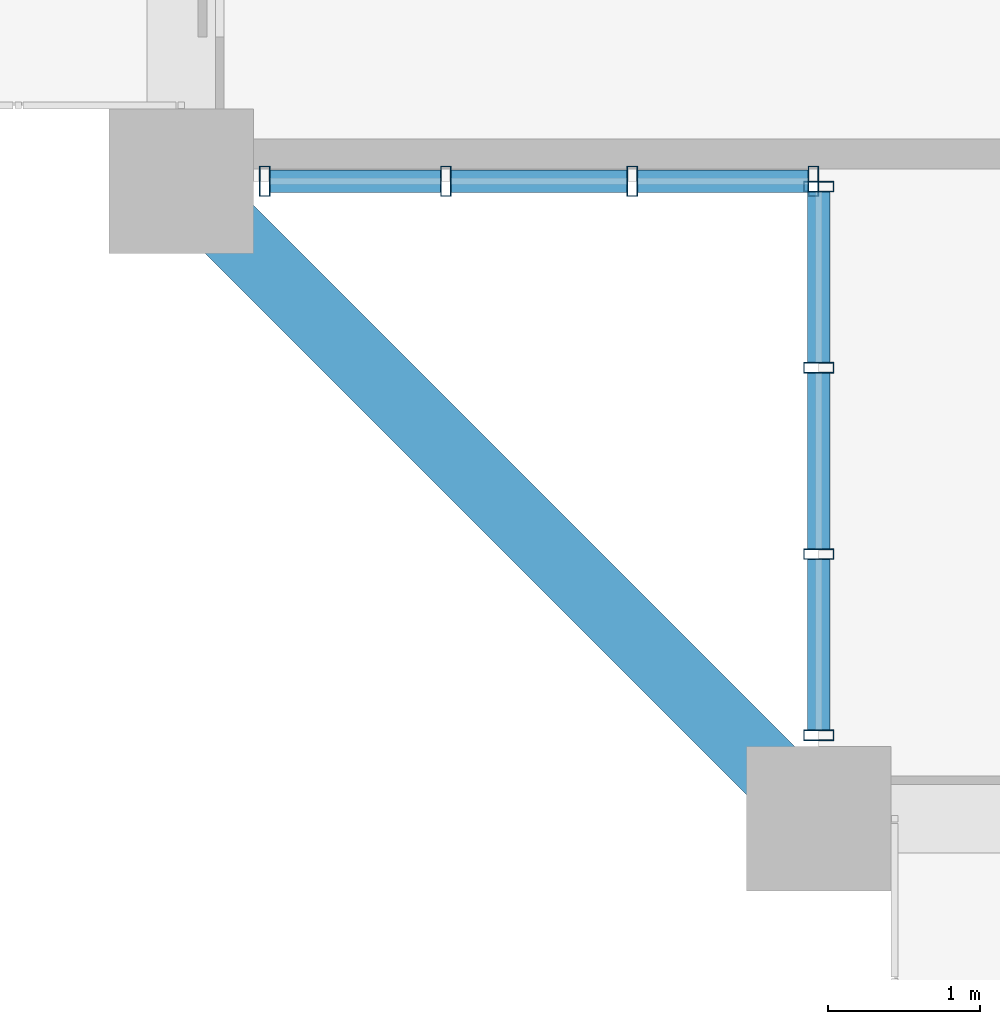
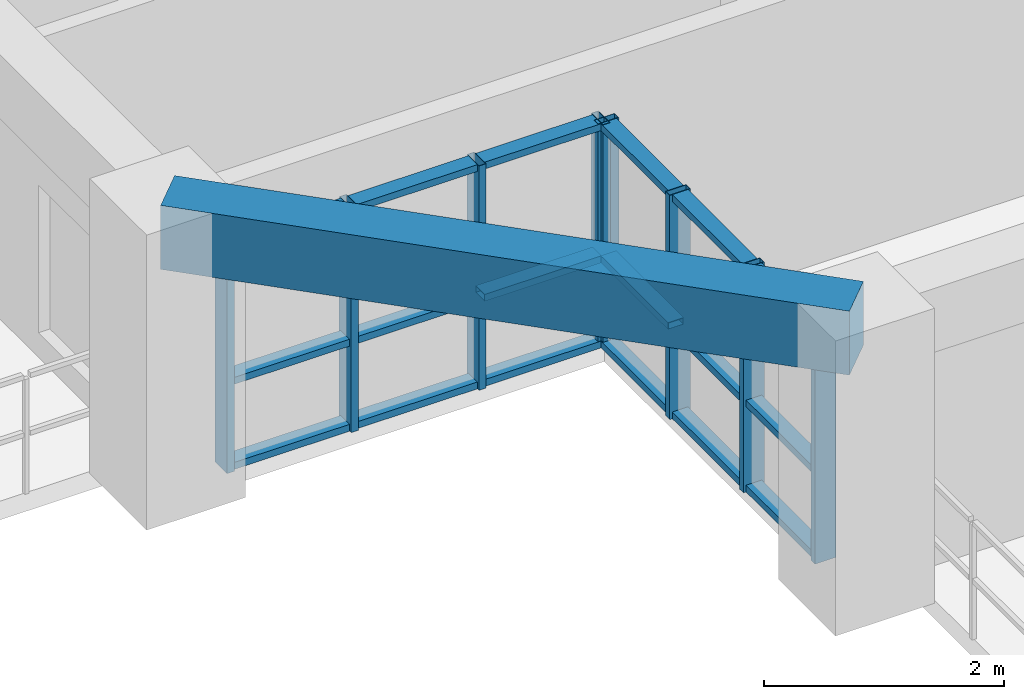
# One storey, part 2 of 24: 26 members, 1 beam, 2 elements without a shape of their own.
"""IFC4 building model written with IfcOpenShell, lengths in metres."""

from ifc_helpers import new_model, si_unit, direction, frame, origin, origin_2d, place, context, subcontext, project, spatial, rectangle, hollow_rectangle, extrude, source, transform, mapped, material, layer, layer_set, material_profile, profile_set, type_object, element, aggregate, save


model = new_model("IFC4")

# Units and contexts
model_context = context("Model", 3, precision=1e-05, world=origin(), true_north=direction((0.0, 1.0)))
body_context = subcontext(model_context, "Body", "Model", "MODEL_VIEW")
ifc_project = project(units=[si_unit("LENGTHUNIT", "METRE"), si_unit("AREAUNIT", "SQUARE_METRE"), si_unit("VOLUMEUNIT", "CUBIC_METRE"), si_unit("PLANEANGLEUNIT", "RADIAN"), si_unit("MASSUNIT", "GRAM", prefix="KILO")], contexts=[model_context])

# Site, building, storey
site_placement = place(None, origin())
site = spatial("IfcSite", under=ifc_project, at=site_placement, CompositionType="ELEMENT")
building_placement = place(site_placement, origin())
building = spatial("IfcBuilding", under=site, at=building_placement, Name="Saelheon Loggia Tower", CompositionType="ELEMENT")
storey_placement = place(building_placement, frame((0.0, 0.0, 126.75)))
storey = spatial("IfcBuildingStorey", under=building, at=storey_placement, Name="L40", CompositionType="ELEMENT", Elevation=126.75)

# Beam
ifc_material_1 = material(Name="Concrete C40/50", Category="concrete")
ifc_material_profile_1 = material_profile(ifc_material_1, rectangle(XDim=0.449951171875, YDim=0.64990234375, at=origin_2d()), Name="RC-450x650")
ifc_profile_set_1 = profile_set([ifc_material_profile_1], Name="Concrete C40/50")
beam_type = type_object("IfcBeamType", Name="Beam_PerimTower_RC450x650", PredefinedType="BEAM", material=ifc_profile_set_1)
shared_shape_1 = source(origin(), body_context, "Body", "SweptSolid", [
    extrude(rectangle(XDim=0.449951171875, YDim=0.64990234375, at=origin_2d()), origin(), (0.0, 0.0, 1.0), 5.939697265625),
])
beam_placement = place(storey_placement, frame((12.0, 7.199951171875, 2.675048828125), z_axis=(0.707106781187, -0.707106781187, 0.0), x_axis=(0.707106781187, 0.707106781187, 0.0)))
element("IfcBeam", 1, at=beam_placement, inside=storey, type_object=beam_type, Name="L40 Perimeter Frame Girder 16", PredefinedType="BEAM", context=body_context, shape_type="MappedRepresentation", body=[
    mapped(shared_shape_1, transform((0.0, 0.0, 0.0), scale=1.0)),
])

# Curtain wall, members
ifc_material_2 = material(Name="High-Wind Aluminium and Triple Laminated Glass", Category="aluminium")
ifc_layer = layer(ifc_material_2, 0.179931640625)
ifc_layer_set = layer_set([ifc_layer], Name="High-Wind Aluminium and Triple Laminated Glass")
curtain_wall_type = type_object("IfcCurtainWallType", Name="CW_TowerLoggiaHigh", PredefinedType="NOTDEFINED", material=ifc_layer_set)
curtain_wall_1_placement = place(storey_placement, origin())
curtain_wall_1 = element("IfcCurtainWall", 2, at=curtain_wall_1_placement, inside=storey, type_object=curtain_wall_type, Name="L40 Corner Notch Glazing SW1", PredefinedType="NOTDEFINED")
ifc_material_3 = material(Name="Anodised Aluminium 6063-T6", Category="aluminium")
ifc_material_profile_2 = material_profile(ifc_material_3, hollow_rectangle(XDim=0.070068359375, YDim=0.199951171875, WallThickness=0.0048828125, at=origin_2d()), Name="RHS-200x70x5")
ifc_profile_set_2 = profile_set([ifc_material_profile_2], Name="Anodised Aluminium 6063-T6")
member_type_1 = type_object("IfcMemberType", Name="CW_TowerLoggiaHigh_Mullion", PredefinedType="MULLION", material=ifc_profile_set_2)
shared_shape_2 = source(origin(), body_context, "Body", "SweptSolid", [
    extrude(hollow_rectangle(XDim=0.070068359375, YDim=0.199951171875, WallThickness=0.0048828125, at=origin_2d()), origin(), (0.0, 0.0, 1.0), 2.280029296875),
])
member_1_placement = place(storey_placement, frame((16.199951171875, 3.550048828125, 0.0), z_axis=(0.0, 0.0, 1.0), x_axis=(0.0, 1.0, 0.0)))
member_1 = element("IfcMember", 3, at=member_1_placement, type_object=member_type_1, Name="CW4 mullion 1", PredefinedType="MULLION", context=body_context, shape_type="MappedRepresentation", body=[
    mapped(shared_shape_2, transform((0.0, 0.0, 0.0), scale=1.0)),
])
member_2_placement = place(storey_placement, frame((16.199951171875, 4.743408203125, 0.0), z_axis=(0.0, 0.0, 1.0), x_axis=(0.0, 1.0, 0.0)))
member_2 = element("IfcMember", 4, at=member_2_placement, type_object=member_type_1, Name="CW4 mullion 2", PredefinedType="MULLION", context=body_context, shape_type="MappedRepresentation", body=[
    mapped(shared_shape_2, transform((0.0, 0.0, 0.0), scale=1.0)),
])
member_3_placement = place(storey_placement, frame((16.199951171875, 5.9716796875, 0.0), z_axis=(0.0, 0.0, 1.0), x_axis=(0.0, 1.0, 0.0)))
member_3 = element("IfcMember", 5, at=member_3_placement, type_object=member_type_1, Name="CW4 mullion 3", PredefinedType="MULLION", context=body_context, shape_type="MappedRepresentation", body=[
    mapped(shared_shape_2, transform((0.0, 0.0, 0.0), scale=1.0)),
])
member_4_placement = place(storey_placement, frame((16.199951171875, 7.1650390625, 0.0), z_axis=(0.0, 0.0, 1.0), x_axis=(0.0, 1.0, 0.0)))
member_4 = element("IfcMember", 6, at=member_4_placement, type_object=member_type_1, Name="CW4 mullion 4", PredefinedType="MULLION", context=body_context, shape_type="MappedRepresentation", body=[
    mapped(shared_shape_2, transform((0.0, 0.0, 0.0), scale=1.0)),
])

curtain_wall_2_placement = place(storey_placement, origin())
curtain_wall_2 = element("IfcCurtainWall", 7, at=curtain_wall_2_placement, inside=storey, type_object=curtain_wall_type, Name="L40 Corner Notch Glazing SW2", PredefinedType="NOTDEFINED")
member_5_placement = place(storey_placement, frame((12.550048828125, 7.199951171875, 0.0), z_axis=(0.0, 0.0, 1.0), x_axis=(1.0, 0.0, 0.0)))
member_5 = element("IfcMember", 8, at=member_5_placement, type_object=member_type_1, Name="CW4 mullion 1", PredefinedType="MULLION", context=body_context, shape_type="MappedRepresentation", body=[
    mapped(shared_shape_2, transform((0.0, 0.0, 0.0), scale=1.0)),
])
member_6_placement = place(storey_placement, frame((13.743408203125, 7.199951171875, 0.0), z_axis=(0.0, 0.0, 1.0), x_axis=(1.0, 0.0, 0.0)))
member_6 = element("IfcMember", 9, at=member_6_placement, type_object=member_type_1, Name="CW4 mullion 2", PredefinedType="MULLION", context=body_context, shape_type="MappedRepresentation", body=[
    mapped(shared_shape_2, transform((0.0, 0.0, 0.0), scale=1.0)),
])
member_7_placement = place(storey_placement, frame((14.9716796875, 7.199951171875, 0.0), z_axis=(0.0, 0.0, 1.0), x_axis=(1.0, 0.0, 0.0)))
member_7 = element("IfcMember", 10, at=member_7_placement, type_object=member_type_1, Name="CW4 mullion 3", PredefinedType="MULLION", context=body_context, shape_type="MappedRepresentation", body=[
    mapped(shared_shape_2, transform((0.0, 0.0, 0.0), scale=1.0)),
])
member_8_placement = place(storey_placement, frame((16.1650390625, 7.199951171875, 0.0), z_axis=(0.0, 0.0, 1.0), x_axis=(1.0, 0.0, 0.0)))
member_8 = element("IfcMember", 11, at=member_8_placement, type_object=member_type_1, Name="CW4 mullion 4", PredefinedType="MULLION", context=body_context, shape_type="MappedRepresentation", body=[
    mapped(shared_shape_2, transform((0.0, 0.0, 0.0), scale=1.0)),
])

# Member
ifc_material_profile_3 = material_profile(ifc_material_3, hollow_rectangle(XDim=0.070068359375, YDim=0.14990234375, WallThickness=0.0048828125, at=origin_2d()), Name="RHS-150x70x5")
ifc_profile_set_3 = profile_set([ifc_material_profile_3], Name="Anodised Aluminium 6063-T6")
member_type_2 = type_object("IfcMemberType", Name="CW_TowerLoggiaHigh_Transom", PredefinedType="USERDEFINED", material=ifc_profile_set_3)
shared_shape_3 = source(origin(), body_context, "Body", "SweptSolid", [
    extrude(hollow_rectangle(XDim=0.070068359375, YDim=0.14990234375, WallThickness=0.0048828125, at=origin_2d()), origin(), (0.0, 0.0, 1.0), 1.123291015625),
])
member_9_placement = place(storey_placement, frame((16.199951171875, 3.5849609375, 0.034912109375), z_axis=(0.0, 1.0, 0.0), x_axis=(0.0, 0.0, 1.0)))
member_9 = element("IfcMember", 12, at=member_9_placement, type_object=member_type_2, Name="CW4 transom 1.1", ObjectType="TRANSOM", PredefinedType="USERDEFINED", context=body_context, shape_type="MappedRepresentation", body=[
    mapped(shared_shape_3, transform((0.0, 0.0, 0.0), scale=1.0)),
])

member_10_placement = place(storey_placement, frame((16.199951171875, 3.5849609375, 0.89990234375), z_axis=(0.0, 1.0, 0.0), x_axis=(0.0, 0.0, 1.0)))
member_10 = element("IfcMember", 13, at=member_10_placement, type_object=member_type_2, Name="CW4 transom 1.2", ObjectType="TRANSOM", PredefinedType="USERDEFINED", context=body_context, shape_type="MappedRepresentation", body=[
    mapped(shared_shape_3, transform((0.0, 0.0, 0.0), scale=1.0)),
])

member_11_placement = place(storey_placement, frame((16.199951171875, 3.5849609375, 2.2451171875), z_axis=(0.0, 1.0, 0.0), x_axis=(0.0, 0.0, 1.0)))
member_11 = element("IfcMember", 14, at=member_11_placement, type_object=member_type_2, Name="CW4 transom 1.3", ObjectType="TRANSOM", PredefinedType="USERDEFINED", context=body_context, shape_type="MappedRepresentation", body=[
    mapped(shared_shape_3, transform((0.0, 0.0, 0.0), scale=1.0)),
])

member_12_placement = place(storey_placement, frame((16.199951171875, 6.006591796875, 0.034912109375), z_axis=(0.0, 1.0, 0.0), x_axis=(0.0, 0.0, 1.0)))
member_12 = element("IfcMember", 15, at=member_12_placement, type_object=member_type_2, Name="CW4 transom 3.1", ObjectType="TRANSOM", PredefinedType="USERDEFINED", context=body_context, shape_type="MappedRepresentation", body=[
    mapped(shared_shape_3, transform((0.0, 0.0, 0.0), scale=1.0)),
])

member_13_placement = place(storey_placement, frame((16.199951171875, 6.006591796875, 0.89990234375), z_axis=(0.0, 1.0, 0.0), x_axis=(0.0, 0.0, 1.0)))
member_13 = element("IfcMember", 16, at=member_13_placement, type_object=member_type_2, Name="CW4 transom 3.2", ObjectType="TRANSOM", PredefinedType="USERDEFINED", context=body_context, shape_type="MappedRepresentation", body=[
    mapped(shared_shape_3, transform((0.0, 0.0, 0.0), scale=1.0)),
])

member_14_placement = place(storey_placement, frame((16.199951171875, 6.006591796875, 2.2451171875), z_axis=(0.0, 1.0, 0.0), x_axis=(0.0, 0.0, 1.0)))
member_14 = element("IfcMember", 17, at=member_14_placement, type_object=member_type_2, Name="CW4 transom 3.3", ObjectType="TRANSOM", PredefinedType="USERDEFINED", context=body_context, shape_type="MappedRepresentation", body=[
    mapped(shared_shape_3, transform((0.0, 0.0, 0.0), scale=1.0)),
])

member_15_placement = place(storey_placement, frame((12.5849609375, 7.199951171875, 0.034912109375), z_axis=(1.0, 0.0, 0.0), x_axis=(0.0, 0.0, 1.0)))
member_15 = element("IfcMember", 18, at=member_15_placement, type_object=member_type_2, Name="CW4 transom 1.1", ObjectType="TRANSOM", PredefinedType="USERDEFINED", context=body_context, shape_type="MappedRepresentation", body=[
    mapped(shared_shape_3, transform((0.0, 0.0, 0.0), scale=1.0)),
])

member_16_placement = place(storey_placement, frame((12.5849609375, 7.199951171875, 0.89990234375), z_axis=(1.0, 0.0, 0.0), x_axis=(0.0, 0.0, 1.0)))
member_16 = element("IfcMember", 19, at=member_16_placement, type_object=member_type_2, Name="CW4 transom 1.2", ObjectType="TRANSOM", PredefinedType="USERDEFINED", context=body_context, shape_type="MappedRepresentation", body=[
    mapped(shared_shape_3, transform((0.0, 0.0, 0.0), scale=1.0)),
])

member_17_placement = place(storey_placement, frame((12.5849609375, 7.199951171875, 2.2451171875), z_axis=(1.0, 0.0, 0.0), x_axis=(0.0, 0.0, 1.0)))
member_17 = element("IfcMember", 20, at=member_17_placement, type_object=member_type_2, Name="CW4 transom 1.3", ObjectType="TRANSOM", PredefinedType="USERDEFINED", context=body_context, shape_type="MappedRepresentation", body=[
    mapped(shared_shape_3, transform((0.0, 0.0, 0.0), scale=1.0)),
])

member_18_placement = place(storey_placement, frame((15.006591796875, 7.199951171875, 0.034912109375), z_axis=(1.0, 0.0, 0.0), x_axis=(0.0, 0.0, 1.0)))
member_18 = element("IfcMember", 21, at=member_18_placement, type_object=member_type_2, Name="CW4 transom 3.1", ObjectType="TRANSOM", PredefinedType="USERDEFINED", context=body_context, shape_type="MappedRepresentation", body=[
    mapped(shared_shape_3, transform((0.0, 0.0, 0.0), scale=1.0)),
])

member_19_placement = place(storey_placement, frame((15.006591796875, 7.199951171875, 0.89990234375), z_axis=(1.0, 0.0, 0.0), x_axis=(0.0, 0.0, 1.0)))
member_19 = element("IfcMember", 22, at=member_19_placement, type_object=member_type_2, Name="CW4 transom 3.2", ObjectType="TRANSOM", PredefinedType="USERDEFINED", context=body_context, shape_type="MappedRepresentation", body=[
    mapped(shared_shape_3, transform((0.0, 0.0, 0.0), scale=1.0)),
])

member_20_placement = place(storey_placement, frame((15.006591796875, 7.199951171875, 2.2451171875), z_axis=(1.0, 0.0, 0.0), x_axis=(0.0, 0.0, 1.0)))
member_20 = element("IfcMember", 23, at=member_20_placement, type_object=member_type_2, Name="CW4 transom 3.3", ObjectType="TRANSOM", PredefinedType="USERDEFINED", context=body_context, shape_type="MappedRepresentation", body=[
    mapped(shared_shape_3, transform((0.0, 0.0, 0.0), scale=1.0)),
])

shared_shape_4 = source(origin(), body_context, "Body", "SweptSolid", [
    extrude(hollow_rectangle(XDim=0.070068359375, YDim=0.14990234375, WallThickness=0.0048828125, at=origin_2d()), origin(), (0.0, 0.0, 1.0), 1.158447265625),
])
member_21_placement = place(storey_placement, frame((16.199951171875, 4.7783203125, 0.034912109375), z_axis=(0.0, 1.0, 0.0), x_axis=(0.0, 0.0, 1.0)))
member_21 = element("IfcMember", 24, at=member_21_placement, type_object=member_type_2, Name="CW4 transom 2.1", ObjectType="TRANSOM", PredefinedType="USERDEFINED", context=body_context, shape_type="MappedRepresentation", body=[
    mapped(shared_shape_4, transform((0.0, 0.0, 0.0), scale=1.0)),
])

member_22_placement = place(storey_placement, frame((16.199951171875, 4.7783203125, 0.89990234375), z_axis=(0.0, 1.0, 0.0), x_axis=(0.0, 0.0, 1.0)))
member_22 = element("IfcMember", 25, at=member_22_placement, type_object=member_type_2, Name="CW4 transom 2.2", ObjectType="TRANSOM", PredefinedType="USERDEFINED", context=body_context, shape_type="MappedRepresentation", body=[
    mapped(shared_shape_4, transform((0.0, 0.0, 0.0), scale=1.0)),
])

member_23_placement = place(storey_placement, frame((16.199951171875, 4.7783203125, 2.2451171875), z_axis=(0.0, 1.0, 0.0), x_axis=(0.0, 0.0, 1.0)))
member_23 = element("IfcMember", 26, at=member_23_placement, type_object=member_type_2, Name="CW4 transom 2.3", ObjectType="TRANSOM", PredefinedType="USERDEFINED", context=body_context, shape_type="MappedRepresentation", body=[
    mapped(shared_shape_4, transform((0.0, 0.0, 0.0), scale=1.0)),
])

aggregate(curtain_wall_1, [member_1, member_2, member_3, member_4, member_9, member_10, member_11, member_21, member_22, member_23, member_12, member_13, member_14])

member_24_placement = place(storey_placement, frame((13.7783203125, 7.199951171875, 0.034912109375), z_axis=(1.0, 0.0, 0.0), x_axis=(0.0, 0.0, 1.0)))
member_24 = element("IfcMember", 27, at=member_24_placement, type_object=member_type_2, Name="CW4 transom 2.1", ObjectType="TRANSOM", PredefinedType="USERDEFINED", context=body_context, shape_type="MappedRepresentation", body=[
    mapped(shared_shape_4, transform((0.0, 0.0, 0.0), scale=1.0)),
])

member_25_placement = place(storey_placement, frame((13.7783203125, 7.199951171875, 0.89990234375), z_axis=(1.0, 0.0, 0.0), x_axis=(0.0, 0.0, 1.0)))
member_25 = element("IfcMember", 28, at=member_25_placement, type_object=member_type_2, Name="CW4 transom 2.2", ObjectType="TRANSOM", PredefinedType="USERDEFINED", context=body_context, shape_type="MappedRepresentation", body=[
    mapped(shared_shape_4, transform((0.0, 0.0, 0.0), scale=1.0)),
])

member_26_placement = place(storey_placement, frame((13.7783203125, 7.199951171875, 2.2451171875), z_axis=(1.0, 0.0, 0.0), x_axis=(0.0, 0.0, 1.0)))
member_26 = element("IfcMember", 29, at=member_26_placement, type_object=member_type_2, Name="CW4 transom 2.3", ObjectType="TRANSOM", PredefinedType="USERDEFINED", context=body_context, shape_type="MappedRepresentation", body=[
    mapped(shared_shape_4, transform((0.0, 0.0, 0.0), scale=1.0)),
])

aggregate(curtain_wall_2, [member_5, member_6, member_7, member_8, member_15, member_16, member_17, member_24, member_25, member_26, member_18, member_19, member_20])

save(model, "model.ifc")
